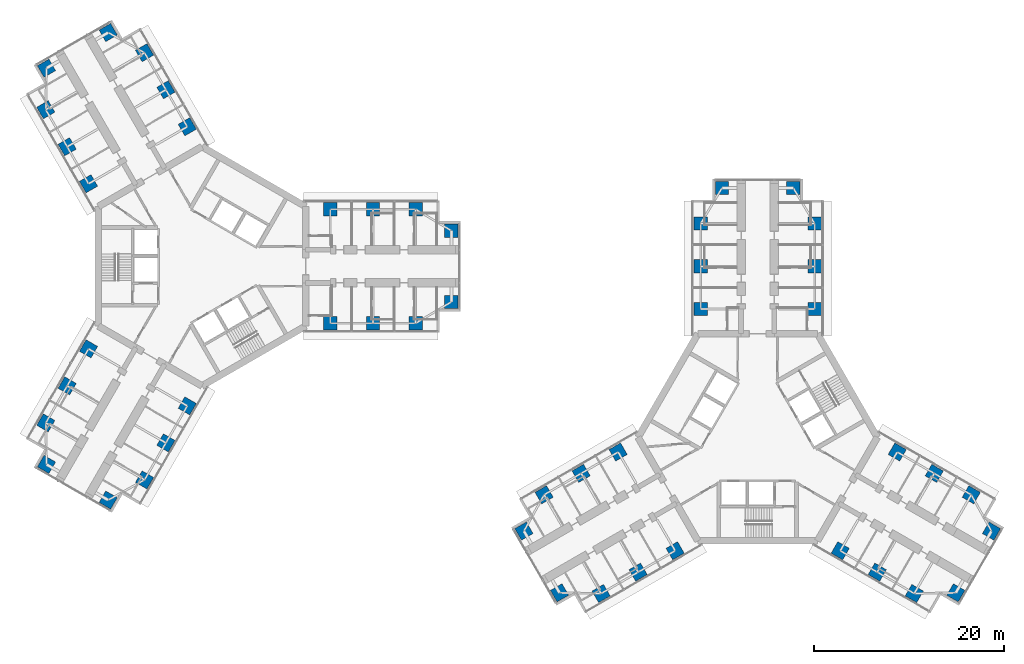
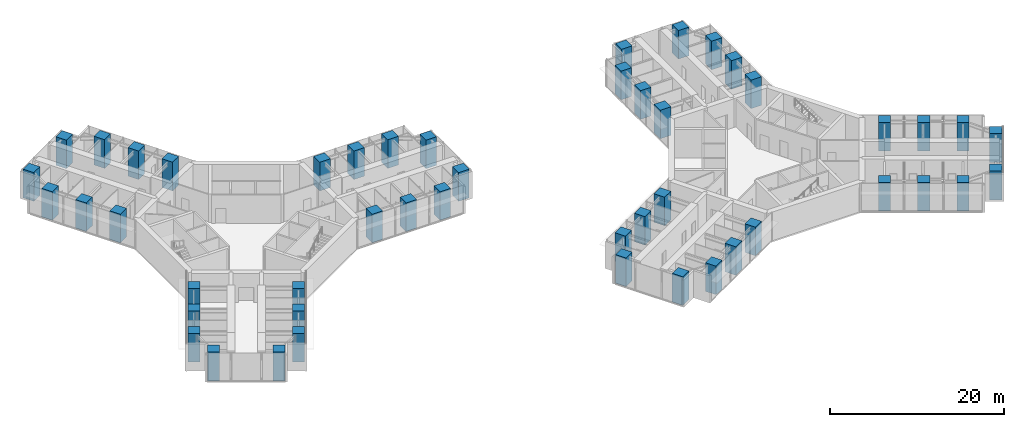
# One storey, part 1 of 25: 48 columns.
"""IFC4 building model written with IfcOpenShell, lengths in metres."""

import ifcopenshell
import ifcopenshell.guid

model = None  # the IFC model being written
_history = None  # IfcOwnerHistory: only IFC2X3 demands one
_inside = {}  # id of a spatial element -> (the spatial element, [elements in it])
_under = {}  # id of a project, library or spatial element -> (it, [spatial elements below it])
_declared = {}  # id of a project -> (the project, [libraries it declares])
_typed = {}  # id of a type object -> (the type object, [elements of that type])
_made_of = {}  # id of a material, layer set ... -> (it, [elements and type objects made of it])


def new_model(schema):
    """Start an empty IFC model of exactly this schema.

    Asked for "IFC4X3", IfcOpenShell would pick the latest addendum, in which some entities
    have other attributes; the version numbers below select the first issue.
    IFC2X3 requires an IfcOwnerHistory on every rooted entity: one is made here for all.
    """
    global model, _history
    if schema == "IFC4X3":
        model = ifcopenshell.file(schema_version=(4, 3, 0, 0))
    else:
        model = ifcopenshell.file(schema=schema)
    _inside.clear()
    _under.clear()
    _declared.clear()
    _typed.clear()
    _made_of.clear()
    _history = None
    if model.schema == "IFC2X3":
        org = make("IfcOrganization", Name="unknown")
        user = make(
            "IfcPersonAndOrganization",
            ThePerson=make("IfcPerson", FamilyName="unknown"),
            TheOrganization=org,
        )
        app = make(
            "IfcApplication",
            ApplicationDeveloper=org,
            Version="unknown",
            ApplicationFullName="unknown",
            ApplicationIdentifier="unknown",
        )
        _history = make(
            "IfcOwnerHistory",
            OwningUser=user,
            OwningApplication=app,
            ChangeAction="ADDED",
            CreationDate=0,
        )
    return model


def make(cls, **values):
    """One entity of the class cls with the attributes given. An attribute that is None is left unset."""
    return model.create_entity(
        cls, **{name: value for name, value in values.items() if value is not None}
    )


def rooted(cls, **values):
    """An entity with a GlobalId (a new one), such as an element, a storey or a relation."""
    return make(cls, GlobalId=ifcopenshell.guid.new(), OwnerHistory=_history, **values)


def si_unit(unit_type, name, prefix=None):
    """IfcSIUnit, for example si_unit("LENGTHUNIT", "METRE", prefix="MILLI")."""
    return make("IfcSIUnit", UnitType=unit_type, Prefix=prefix, Name=name)


def assignment(units):
    """IfcUnitAssignment: the units of a project."""
    return None if units is None else make("IfcUnitAssignment", Units=units)


def point(xyz):
    """IfcCartesianPoint."""
    return None if xyz is None else make("IfcCartesianPoint", Coordinates=xyz)


def direction(xyz):
    """IfcDirection."""
    return None if xyz is None else make("IfcDirection", DirectionRatios=xyz)


def frame(location, z_axis=None, x_axis=None):
    """IfcAxis2Placement3D, a coordinate frame: its origin and axes. An axis left out is left unset."""
    return make(
        "IfcAxis2Placement3D",
        Location=point(location),
        Axis=direction(z_axis),
        RefDirection=direction(x_axis),
    )


def frame_2d(location, x_axis=None):
    """IfcAxis2Placement2D, a coordinate frame in the plane: its origin and x axis."""
    return make(
        "IfcAxis2Placement2D", Location=point(location), RefDirection=direction(x_axis)
    )


def origin():
    """The frame at (0, 0, 0) with its axes left unset."""
    return frame((0.0, 0.0, 0.0))


def origin_2d():
    """The frame at (0, 0) in the plane with its x axis left unset."""
    return frame_2d((0.0, 0.0))


def place(relative_to, where):
    """IfcLocalPlacement: puts the frame where relative to a parent placement (None: the world)."""
    return make(
        "IfcLocalPlacement", PlacementRelTo=relative_to, RelativePlacement=where
    )


def context(
    kind, dimensions, precision=None, world=None, true_north=None, identifier=None
):
    """IfcGeometricRepresentationContext, for example the 3D "Model" context."""
    return make(
        "IfcGeometricRepresentationContext",
        ContextIdentifier=identifier,
        ContextType=kind,
        CoordinateSpaceDimension=dimensions,
        Precision=precision,
        WorldCoordinateSystem=world,
        TrueNorth=true_north,
    )


def subcontext(parent, identifier, kind, view, scale=None):
    """IfcGeometricRepresentationSubContext, for example "Body" below "Model"."""
    return make(
        "IfcGeometricRepresentationSubContext",
        ContextIdentifier=identifier,
        ContextType=kind,
        ParentContext=parent,
        TargetScale=scale,
        TargetView=view,
    )


def project(units=None, contexts=None):
    """IfcProject with its units and contexts."""
    return rooted(
        "IfcProject",
        Name="project",
        RepresentationContexts=contexts,
        UnitsInContext=assignment(units),
    )


def spatial(cls, under=None, at=None, **own):
    """A site, building, storey or space (cls), placed at a placement, below another one or the project."""
    s = rooted(cls, ObjectPlacement=at, **own)
    if under is not None:
        _under.setdefault(under.id(), (under, []))[1].append(s)
    return s


def profile(cls, at=None, kind="AREA", **sizes):
    """A parametric profile (cls). Its sizes go by their IFC names, for example OverallWidth=200.0."""
    return make(cls, ProfileType=kind, Position=at, **sizes)


def rectangle(**sizes):
    """IfcRectangleProfileDef."""
    return profile("IfcRectangleProfileDef", **sizes)


def extrude(swept, where, along, depth):
    """IfcExtrudedAreaSolid: the profile swept, set in the frame where, extruded along a direction by depth."""
    return make(
        "IfcExtrudedAreaSolid",
        SweptArea=swept,
        Position=where,
        ExtrudedDirection=direction(along),
        Depth=depth,
    )


def shape(context_of_items, identifier, shape_type, items):
    """IfcShapeRepresentation: the items that make up one representation, for example the "Body"."""
    return make(
        "IfcShapeRepresentation",
        ContextOfItems=context_of_items,
        RepresentationIdentifier=identifier,
        RepresentationType=shape_type,
        Items=items,
    )


def material(Name=None, Category=None):
    """IfcMaterial."""
    return make("IfcMaterial", Name=Name, Category=Category)


def material_profile(
    of_material, cross_section, Name=None, Category=None, Priority=None
):
    """IfcMaterialProfile: a cross section and its material."""
    return make(
        "IfcMaterialProfile",
        Name=Name,
        Material=of_material,
        Profile=cross_section,
        Priority=Priority,
        Category=Category,
    )


def profile_set(profiles, Name=None, composite=None):
    """IfcMaterialProfileSet."""
    return make(
        "IfcMaterialProfileSet",
        Name=Name,
        MaterialProfiles=profiles,
        CompositeProfile=composite,
    )


def made_of(thing, what):
    """Note that an element or type object is made of a material, layer set ...; save() writes the relation."""
    if what is not None:
        _made_of.setdefault(what.id(), (what, []))[1].append(thing)
    return thing


def type_object(cls, material=None, **own):
    """A type object (cls), such as IfcWallType, which elements share."""
    return made_of(rooted(cls, **own), material)


def element(
    cls,
    number,
    at=None,
    inside=None,
    cuts=None,
    type_object=None,
    material=None,
    context=None,
    identifier="Body",
    shape_type=None,
    held_by="IfcProductDefinitionShape",
    body=None,
    shapes=None,
    **own,
):
    """One element of the class cls, such as IfcWall. Its Tag is "e" and its number.

    at: its placement. inside: the storey or other place that contains it. cuts: it is an
    opening in that element (IfcRelVoidsElement). A single representation is given by context,
    identifier, shape_type and body (its items); several are given by shapes. held_by: the class
    of the entity that holds the representations. save() writes the other relations.
    """
    e = rooted(cls, Tag="e%d" % number, ObjectPlacement=at, **own)
    if body is not None:
        shapes = [shape(context, identifier, shape_type, body)]
    if shapes is not None:
        e.Representation = make(held_by, Representations=shapes)
    if inside is not None:
        _inside.setdefault(inside.id(), (inside, []))[1].append(e)
    if cuts is not None:
        rooted(
            "IfcRelVoidsElement", RelatingBuildingElement=cuts, RelatedOpeningElement=e
        )
    if type_object is not None:
        _typed.setdefault(type_object.id(), (type_object, []))[1].append(e)
    return made_of(e, material)


def aggregate(whole, parts):
    """IfcRelAggregates: a whole, such as a stair, and the parts it consists of."""
    return rooted("IfcRelAggregates", RelatingObject=whole, RelatedObjects=parts)


def save(model, path):
    """Write the relations noted so far, then the file.

    IfcRelAggregates (storeys below a building ...), IfcRelContainedInSpatialStructure (elements
    in a storey), IfcRelDefinesByType, IfcRelAssociatesMaterial and IfcRelDeclares: one each for
    every whole, place, type object, material and project.
    """
    for whole, parts in _under.values():
        aggregate(whole, parts)
    for where, things in _inside.values():
        rooted(
            "IfcRelContainedInSpatialStructure",
            RelatedElements=things,
            RelatingStructure=where,
        )
    for kind, things in _typed.values():
        rooted("IfcRelDefinesByType", RelatedObjects=things, RelatingType=kind)
    for what, things in _made_of.values():
        rooted("IfcRelAssociatesMaterial", RelatedObjects=things, RelatingMaterial=what)
    for by, libraries in _declared.values():
        rooted("IfcRelDeclares", RelatingContext=by, RelatedDefinitions=libraries)
    model.write(path)


model = new_model("IFC4")

# Units and contexts
model_context = context("Model", 3, precision=1e-05, world=origin(), true_north=direction((0.0, 1.0)))
body_context = subcontext(model_context, "Body", "Model", "MODEL_VIEW")
ifc_project = project(units=[si_unit("LENGTHUNIT", "METRE"), si_unit("AREAUNIT", "SQUARE_METRE"), si_unit("VOLUMEUNIT", "CUBIC_METRE"), si_unit("PLANEANGLEUNIT", "RADIAN"), si_unit("MASSUNIT", "GRAM", prefix="KILO")], contexts=[model_context])

# Site, building, storey
site_placement = place(None, origin())
site = spatial("IfcSite", under=ifc_project, at=site_placement, CompositionType="ELEMENT")
building_placement = place(site_placement, origin())
building = spatial("IfcBuilding", under=site, at=building_placement, Name="Upepo Twin Towers", CompositionType="ELEMENT")
storey_placement = place(building_placement, frame((0.0, 0.0, 84.5)))
storey = spatial("IfcBuildingStorey", under=building, at=storey_placement, Name="L20", CompositionType="ELEMENT", Elevation=84.5)

# Columns
ifc_material = material(Name="Concrete C60/75", Category="concrete")
ifc_material_profile = material_profile(ifc_material, rectangle(XDim=1.39990234375, YDim=1.39990234375, at=origin_2d()), Name="RC 1400x1400")
ifc_profile_set = profile_set([ifc_material_profile], Name="Concrete C60/75")
column_type = type_object("IfcColumnType", Name="Tower column RC 1400x1400", PredefinedType="COLUMN", material=ifc_profile_set)
for number, where, z_axis, x_axis, name in (
    (1, (13.5, 6.0, 0.0), (0.0, 0.0, 1.0), (1.0, 0.0, 0.0), "T1 column AL135"),
    (2, (13.5, -6.0, 0.0), (0.0, 0.0, 1.0), (1.0, 0.0, 0.0), "T1 column AR135"),
    (3, (18.0, 6.0, 0.0), (0.0, 0.0, 1.0), (1.0, 0.0, 0.0), "T1 column AL180"),
    (4, (18.0, -6.0, 0.0), (0.0, 0.0, 1.0), (1.0, 0.0, 0.0), "T1 column AR180"),
    (5, (22.5, 6.0, 0.0), (0.0, 0.0, 1.0), (1.0, 0.0, 0.0), "T1 column AL225"),
    (6, (22.5, -6.0, 0.0), (0.0, 0.0, 1.0), (1.0, 0.0, 0.0), "T1 column AR225"),
    (7, (26.25, 3.75, 0.0), (0.0, 0.0, 1.0), (1.0, 0.0, 0.0), "T1 column ALN"),
    (8, (26.25, -3.75, 0.0), (0.0, 0.0, 1.0), (1.0, 0.0, 0.0), "T1 column ARN"),
    (9, (-11.946044921875, 8.69140625, 0.0), (0.0, 0.0, 1.0), (0.866025403784, 0.5, 0.0), "T1 column BL135"),
    (10, (-1.553955078125, 14.69140625, 0.0), (0.0, 0.0, 1.0), (0.866025403784, 0.5, 0.0), "T1 column BR135"),
    (11, (-14.196044921875, 12.58837890625, 0.0), (0.0, 0.0, 1.0), (0.866025403784, 0.5, 0.0), "T1 column BL180"),
    (12, (-3.803955078125, 18.58837890625, 0.0), (0.0, 0.0, 1.0), (0.866025403784, 0.5, 0.0), "T1 column BR180"),
    (13, (-16.446044921875, 16.485595703125, 0.0), (0.0, 0.0, 1.0), (0.866025403784, 0.5, 0.0), "T1 column BL225"),
    (14, (-6.053955078125, 22.485595703125, 0.0), (0.0, 0.0, 1.0), (0.866025403784, 0.5, 0.0), "T1 column BR225"),
    (15, (-16.37255859375, 20.858154296875, 0.0), (0.0, 0.0, 1.0), (0.866025403784, 0.5, 0.0), "T1 column BLN"),
    (16, (-9.87744140625, 24.608154296875, 0.0), (0.0, 0.0, 1.0), (0.866025403784, 0.5, 0.0), "T1 column BRN"),
    (17, (-1.553955078125, -14.69140625, 0.0), (0.0, 0.0, 1.0), (0.5, 0.866025403784, 0.0), "T1 column CL135"),
    (18, (-11.946044921875, -8.69140625, 0.0), (0.0, 0.0, 1.0), (0.5, 0.866025403784, 0.0), "T1 column CR135"),
    (19, (-3.803955078125, -18.58837890625, 0.0), (0.0, 0.0, 1.0), (0.5, 0.866025403784, 0.0), "T1 column CL180"),
    (20, (-14.196044921875, -12.58837890625, 0.0), (0.0, 0.0, 1.0), (0.5, 0.866025403784, 0.0), "T1 column CR180"),
    (21, (-6.053955078125, -22.485595703125, 0.0), (0.0, 0.0, 1.0), (0.5, 0.866025403784, 0.0), "T1 column CL225"),
    (22, (-16.446044921875, -16.485595703125, 0.0), (0.0, 0.0, 1.0), (0.5, 0.866025403784, 0.0), "T1 column CR225"),
    (23, (-9.87744140625, -24.608154296875, 0.0), (0.0, 0.0, 1.0), (0.5, 0.866025403784, 0.0), "T1 column CLN"),
    (24, (-16.37255859375, -20.858154296875, 0.0), (0.0, 0.0, 1.0), (0.5, 0.866025403784, 0.0), "T1 column CRN"),
    (25, (52.5, -4.5, 0.0), (0.0, 0.0, 1.0), (1.0, 0.0, 0.0), "T2 column AL135"),
    (26, (64.5, -4.5, 0.0), (0.0, 0.0, 1.0), (1.0, 0.0, 0.0), "T2 column AR135"),
    (27, (52.5, 0.0, 0.0), (0.0, 0.0, 1.0), (1.0, 0.0, 0.0), "T2 column AL180"),
    (28, (64.5, 0.0, 0.0), (0.0, 0.0, 1.0), (1.0, 0.0, 0.0), "T2 column AR180"),
    (29, (52.5, 4.5, 0.0), (0.0, 0.0, 1.0), (1.0, 0.0, 0.0), "T2 column AL225"),
    (30, (64.5, 4.5, 0.0), (0.0, 0.0, 1.0), (1.0, 0.0, 0.0), "T2 column AR225"),
    (31, (54.75, 8.25, 0.0), (0.0, 0.0, 1.0), (1.0, 0.0, 0.0), "T2 column ALN"),
    (32, (62.25, 8.25, 0.0), (0.0, 0.0, 1.0), (1.0, 0.0, 0.0), "T2 column ARN"),
    (33, (49.80859375, -29.946044921875, 0.0), (0.0, 0.0, 1.0), (0.866025403784, 0.5, 0.0), "T2 column BL135"),
    (34, (43.80859375, -19.553955078125, 0.0), (0.0, 0.0, 1.0), (0.866025403784, 0.5, 0.0), "T2 column BR135"),
    (35, (45.91162109375, -32.196044921875, 0.0), (0.0, 0.0, 1.0), (0.866025403784, 0.5, 0.0), "T2 column BL180"),
    (36, (39.91162109375, -21.803955078125, 0.0), (0.0, 0.0, 1.0), (0.866025403784, 0.5, 0.0), "T2 column BR180"),
    (37, (42.014404296875, -34.446044921875, 0.0), (0.0, 0.0, 1.0), (0.866025403784, 0.5, 0.0), "T2 column BL225"),
    (38, (36.014404296875, -24.053955078125, 0.0), (0.0, 0.0, 1.0), (0.866025403784, 0.5, 0.0), "T2 column BR225"),
    (39, (37.641845703125, -34.37255859375, 0.0), (0.0, 0.0, 1.0), (0.866025403784, 0.5, 0.0), "T2 column BLN"),
    (40, (33.891845703125, -27.87744140625, 0.0), (0.0, 0.0, 1.0), (0.866025403784, 0.5, 0.0), "T2 column BRN"),
    (41, (73.19140625, -19.553955078125, 0.0), (0.0, 0.0, 1.0), (0.5, 0.866025403784, 0.0), "T2 column CL135"),
    (42, (67.19140625, -29.946044921875, 0.0), (0.0, 0.0, 1.0), (0.5, 0.866025403784, 0.0), "T2 column CR135"),
    (43, (77.08837890625, -21.803955078125, 0.0), (0.0, 0.0, 1.0), (0.5, 0.866025403784, 0.0), "T2 column CL180"),
    (44, (71.08837890625, -32.196044921875, 0.0), (0.0, 0.0, 1.0), (0.5, 0.866025403784, 0.0), "T2 column CR180"),
    (45, (80.985595703125, -24.053955078125, 0.0), (0.0, 0.0, 1.0), (0.5, 0.866025403784, 0.0), "T2 column CL225"),
    (46, (74.985595703125, -34.446044921875, 0.0), (0.0, 0.0, 1.0), (0.5, 0.866025403784, 0.0), "T2 column CR225"),
    (47, (83.108154296875, -27.87744140625, 0.0), (0.0, 0.0, 1.0), (0.5, 0.866025403784, 0.0), "T2 column CLN"),
    (48, (79.358154296875, -34.37255859375, 0.0), (0.0, 0.0, 1.0), (0.5, 0.866025403784, 0.0), "T2 column CRN"),
):
    element("IfcColumn", number, at=place(storey_placement, frame(where, z_axis=z_axis, x_axis=x_axis)), inside=storey, type_object=column_type, Name=name, PredefinedType="COLUMN", context=body_context, shape_type="SweptSolid", body=[
        extrude(rectangle(XDim=1.39990234375, YDim=1.39990234375, at=origin_2d()), origin(), (0.0, 0.0, 1.0), 4.0),
    ])

save(model, "model.ifc")
